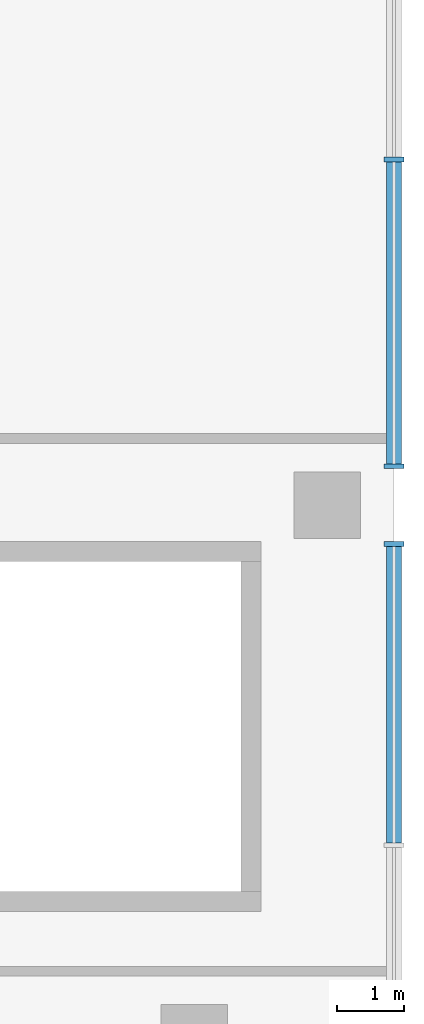
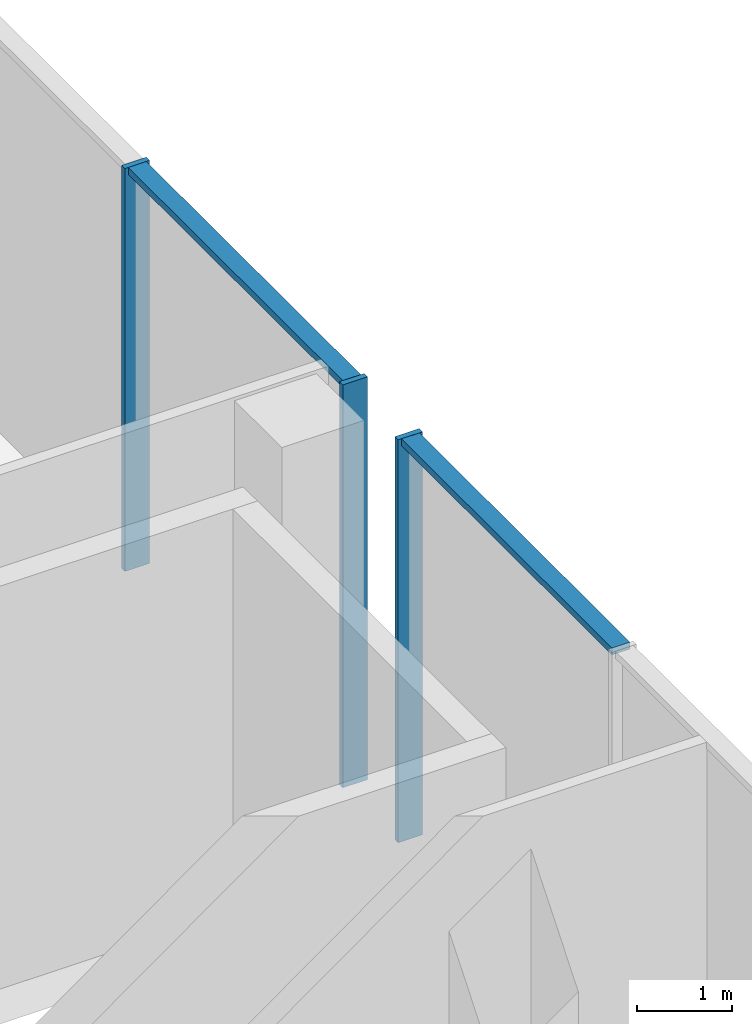
# One storey, part 5 of 25: 5 members, 2 elements without a shape of their own.
"""IFC4 building model written with IfcOpenShell, lengths in metres."""

import ifcopenshell
import ifcopenshell.guid

model = None  # the IFC model being written
_history = None  # IfcOwnerHistory: only IFC2X3 demands one
_inside = {}  # id of a spatial element -> (the spatial element, [elements in it])
_under = {}  # id of a project, library or spatial element -> (it, [spatial elements below it])
_declared = {}  # id of a project -> (the project, [libraries it declares])
_typed = {}  # id of a type object -> (the type object, [elements of that type])
_made_of = {}  # id of a material, layer set ... -> (it, [elements and type objects made of it])


def new_model(schema):
    """Start an empty IFC model of exactly this schema.

    Asked for "IFC4X3", IfcOpenShell would pick the latest addendum, in which some entities
    have other attributes; the version numbers below select the first issue.
    IFC2X3 requires an IfcOwnerHistory on every rooted entity: one is made here for all.
    """
    global model, _history
    if schema == "IFC4X3":
        model = ifcopenshell.file(schema_version=(4, 3, 0, 0))
    else:
        model = ifcopenshell.file(schema=schema)
    _inside.clear()
    _under.clear()
    _declared.clear()
    _typed.clear()
    _made_of.clear()
    _history = None
    if model.schema == "IFC2X3":
        org = make("IfcOrganization", Name="unknown")
        user = make(
            "IfcPersonAndOrganization",
            ThePerson=make("IfcPerson", FamilyName="unknown"),
            TheOrganization=org,
        )
        app = make(
            "IfcApplication",
            ApplicationDeveloper=org,
            Version="unknown",
            ApplicationFullName="unknown",
            ApplicationIdentifier="unknown",
        )
        _history = make(
            "IfcOwnerHistory",
            OwningUser=user,
            OwningApplication=app,
            ChangeAction="ADDED",
            CreationDate=0,
        )
    return model


def make(cls, **values):
    """One entity of the class cls with the attributes given. An attribute that is None is left unset."""
    return model.create_entity(
        cls, **{name: value for name, value in values.items() if value is not None}
    )


def rooted(cls, **values):
    """An entity with a GlobalId (a new one), such as an element, a storey or a relation."""
    return make(cls, GlobalId=ifcopenshell.guid.new(), OwnerHistory=_history, **values)


def si_unit(unit_type, name, prefix=None):
    """IfcSIUnit, for example si_unit("LENGTHUNIT", "METRE", prefix="MILLI")."""
    return make("IfcSIUnit", UnitType=unit_type, Prefix=prefix, Name=name)


def assignment(units):
    """IfcUnitAssignment: the units of a project."""
    return None if units is None else make("IfcUnitAssignment", Units=units)


def point(xyz):
    """IfcCartesianPoint."""
    return None if xyz is None else make("IfcCartesianPoint", Coordinates=xyz)


def direction(xyz):
    """IfcDirection."""
    return None if xyz is None else make("IfcDirection", DirectionRatios=xyz)


def frame(location, z_axis=None, x_axis=None):
    """IfcAxis2Placement3D, a coordinate frame: its origin and axes. An axis left out is left unset."""
    return make(
        "IfcAxis2Placement3D",
        Location=point(location),
        Axis=direction(z_axis),
        RefDirection=direction(x_axis),
    )


def frame_2d(location, x_axis=None):
    """IfcAxis2Placement2D, a coordinate frame in the plane: its origin and x axis."""
    return make(
        "IfcAxis2Placement2D", Location=point(location), RefDirection=direction(x_axis)
    )


def origin():
    """The frame at (0, 0, 0) with its axes left unset."""
    return frame((0.0, 0.0, 0.0))


def origin_2d():
    """The frame at (0, 0) in the plane with its x axis left unset."""
    return frame_2d((0.0, 0.0))


def place(relative_to, where):
    """IfcLocalPlacement: puts the frame where relative to a parent placement (None: the world)."""
    return make(
        "IfcLocalPlacement", PlacementRelTo=relative_to, RelativePlacement=where
    )


def context(
    kind, dimensions, precision=None, world=None, true_north=None, identifier=None
):
    """IfcGeometricRepresentationContext, for example the 3D "Model" context."""
    return make(
        "IfcGeometricRepresentationContext",
        ContextIdentifier=identifier,
        ContextType=kind,
        CoordinateSpaceDimension=dimensions,
        Precision=precision,
        WorldCoordinateSystem=world,
        TrueNorth=true_north,
    )


def subcontext(parent, identifier, kind, view, scale=None):
    """IfcGeometricRepresentationSubContext, for example "Body" below "Model"."""
    return make(
        "IfcGeometricRepresentationSubContext",
        ContextIdentifier=identifier,
        ContextType=kind,
        ParentContext=parent,
        TargetScale=scale,
        TargetView=view,
    )


def project(units=None, contexts=None):
    """IfcProject with its units and contexts."""
    return rooted(
        "IfcProject",
        Name="project",
        RepresentationContexts=contexts,
        UnitsInContext=assignment(units),
    )


def spatial(cls, under=None, at=None, **own):
    """A site, building, storey or space (cls), placed at a placement, below another one or the project."""
    s = rooted(cls, ObjectPlacement=at, **own)
    if under is not None:
        _under.setdefault(under.id(), (under, []))[1].append(s)
    return s


def profile(cls, at=None, kind="AREA", **sizes):
    """A parametric profile (cls). Its sizes go by their IFC names, for example OverallWidth=200.0."""
    return make(cls, ProfileType=kind, Position=at, **sizes)


def rectangle(**sizes):
    """IfcRectangleProfileDef."""
    return profile("IfcRectangleProfileDef", **sizes)


def extrude(swept, where, along, depth):
    """IfcExtrudedAreaSolid: the profile swept, set in the frame where, extruded along a direction by depth."""
    return make(
        "IfcExtrudedAreaSolid",
        SweptArea=swept,
        Position=where,
        ExtrudedDirection=direction(along),
        Depth=depth,
    )


def shape(context_of_items, identifier, shape_type, items):
    """IfcShapeRepresentation: the items that make up one representation, for example the "Body"."""
    return make(
        "IfcShapeRepresentation",
        ContextOfItems=context_of_items,
        RepresentationIdentifier=identifier,
        RepresentationType=shape_type,
        Items=items,
    )


def material(Name=None, Category=None):
    """IfcMaterial."""
    return make("IfcMaterial", Name=Name, Category=Category)


def material_profile(
    of_material, cross_section, Name=None, Category=None, Priority=None
):
    """IfcMaterialProfile: a cross section and its material."""
    return make(
        "IfcMaterialProfile",
        Name=Name,
        Material=of_material,
        Profile=cross_section,
        Priority=Priority,
        Category=Category,
    )


def profile_set(profiles, Name=None, composite=None):
    """IfcMaterialProfileSet."""
    return make(
        "IfcMaterialProfileSet",
        Name=Name,
        MaterialProfiles=profiles,
        CompositeProfile=composite,
    )


def made_of(thing, what):
    """Note that an element or type object is made of a material, layer set ...; save() writes the relation."""
    if what is not None:
        _made_of.setdefault(what.id(), (what, []))[1].append(thing)
    return thing


def type_object(cls, material=None, **own):
    """A type object (cls), such as IfcWallType, which elements share."""
    return made_of(rooted(cls, **own), material)


def element(
    cls,
    number,
    at=None,
    inside=None,
    cuts=None,
    type_object=None,
    material=None,
    context=None,
    identifier="Body",
    shape_type=None,
    held_by="IfcProductDefinitionShape",
    body=None,
    shapes=None,
    **own,
):
    """One element of the class cls, such as IfcWall. Its Tag is "e" and its number.

    at: its placement. inside: the storey or other place that contains it. cuts: it is an
    opening in that element (IfcRelVoidsElement). A single representation is given by context,
    identifier, shape_type and body (its items); several are given by shapes. held_by: the class
    of the entity that holds the representations. save() writes the other relations.
    """
    e = rooted(cls, Tag="e%d" % number, ObjectPlacement=at, **own)
    if body is not None:
        shapes = [shape(context, identifier, shape_type, body)]
    if shapes is not None:
        e.Representation = make(held_by, Representations=shapes)
    if inside is not None:
        _inside.setdefault(inside.id(), (inside, []))[1].append(e)
    if cuts is not None:
        rooted(
            "IfcRelVoidsElement", RelatingBuildingElement=cuts, RelatedOpeningElement=e
        )
    if type_object is not None:
        _typed.setdefault(type_object.id(), (type_object, []))[1].append(e)
    return made_of(e, material)


def aggregate(whole, parts):
    """IfcRelAggregates: a whole, such as a stair, and the parts it consists of."""
    return rooted("IfcRelAggregates", RelatingObject=whole, RelatedObjects=parts)


def save(model, path):
    """Write the relations noted so far, then the file.

    IfcRelAggregates (storeys below a building ...), IfcRelContainedInSpatialStructure (elements
    in a storey), IfcRelDefinesByType, IfcRelAssociatesMaterial and IfcRelDeclares: one each for
    every whole, place, type object, material and project.
    """
    for whole, parts in _under.values():
        aggregate(whole, parts)
    for where, things in _inside.values():
        rooted(
            "IfcRelContainedInSpatialStructure",
            RelatedElements=things,
            RelatingStructure=where,
        )
    for kind, things in _typed.values():
        rooted("IfcRelDefinesByType", RelatedObjects=things, RelatingType=kind)
    for what, things in _made_of.values():
        rooted("IfcRelAssociatesMaterial", RelatedObjects=things, RelatingMaterial=what)
    for by, libraries in _declared.values():
        rooted("IfcRelDeclares", RelatingContext=by, RelatedDefinitions=libraries)
    model.write(path)


model = new_model("IFC4")

# Units and contexts
model_context = context("Model", 3, precision=1e-05, world=origin(), true_north=direction((0.0, 1.0)))
body_context = subcontext(model_context, "Body", "Model", "MODEL_VIEW")
ifc_project = project(units=[si_unit("LENGTHUNIT", "METRE"), si_unit("AREAUNIT", "SQUARE_METRE"), si_unit("VOLUMEUNIT", "CUBIC_METRE"), si_unit("PLANEANGLEUNIT", "RADIAN"), si_unit("MASSUNIT", "GRAM", prefix="KILO")], contexts=[model_context])

# Site, building, storey
site_placement = place(None, origin())
site = spatial("IfcSite", under=ifc_project, at=site_placement, CompositionType="ELEMENT")
building_placement = place(site_placement, origin())
building = spatial("IfcBuilding", under=site, at=building_placement, Name="Wharfspan Tower", CompositionType="ELEMENT")
storey_placement = place(building_placement, frame((0.0, 0.0, 27.5)))
storey = spatial("IfcBuildingStorey", under=building, at=storey_placement, Name="L04", CompositionType="ELEMENT", Elevation=27.5)

# Curtain wall, member
ifc_material = material(Name="Aluminium 6063-T6", Category="aluminium")
curtain_wall_type = type_object("IfcCurtainWallType", Name="CURTAIN WALL ARENA STICK WALL", PredefinedType="NOTDEFINED", material=ifc_material)
curtain_wall_1_placement = place(storey_placement, origin())
curtain_wall_1 = element("IfcCurtainWall", 1, at=curtain_wall_1_placement, inside=storey, type_object=curtain_wall_type, Name="Concourse stick wall PF3.2", PredefinedType="NOTDEFINED")
ifc_material_profile_1 = material_profile(ifc_material, rectangle(XDim=0.300049, YDim=0.070068, at=origin_2d()))
ifc_profile_set_1 = profile_set([ifc_material_profile_1], Name="Aluminium 6063-T6")
member_type_1 = type_object("IfcMemberType", Name="MULLION ARENA STICK WALL 70x300", PredefinedType="MULLION", material=ifc_profile_set_1)
member_1_placement = place(storey_placement, frame((108.0, 25.415039, 0.0), z_axis=(0.0, 0.0, 1.0), x_axis=(-1.0, 0.0, 0.0)))
member_1 = element("IfcMember", 2, at=member_1_placement, type_object=member_type_1, Name="Concourse stick wall PF3.2 mullion 8", PredefinedType="MULLION", context=body_context, shape_type="SweptSolid", body=[
    extrude(rectangle(XDim=0.300049, YDim=0.070068, at=origin_2d()), origin(), (0.0, 0.0, 1.0), 5.199951),
])

# Curtain wall, members
curtain_wall_2_placement = place(storey_placement, origin())
curtain_wall_2 = element("IfcCurtainWall", 3, at=curtain_wall_2_placement, inside=storey, type_object=curtain_wall_type, Name="Concourse stick wall PF3.3", PredefinedType="NOTDEFINED")
member_2_placement = place(storey_placement, frame((108.0, 26.584961, 0.0), z_axis=(0.0, 0.0, 1.0), x_axis=(-1.0, 0.0, 0.0)))
member_2 = element("IfcMember", 4, at=member_2_placement, type_object=member_type_1, Name="Concourse stick wall PF3.3 mullion 1", PredefinedType="MULLION", context=body_context, shape_type="SweptSolid", body=[
    extrude(rectangle(XDim=0.300049, YDim=0.070068, at=origin_2d()), origin(), (0.0, 0.0, 1.0), 5.199951),
])
member_3_placement = place(storey_placement, frame((108.0, 31.189941, 0.0), z_axis=(0.0, 0.0, 1.0), x_axis=(-1.0, 0.0, 0.0)))
member_3 = element("IfcMember", 5, at=member_3_placement, type_object=member_type_1, Name="Concourse stick wall PF3.3 mullion 2", PredefinedType="MULLION", context=body_context, shape_type="SweptSolid", body=[
    extrude(rectangle(XDim=0.300049, YDim=0.070068, at=origin_2d()), origin(), (0.0, 0.0, 1.0), 5.199951),
])

# Member
ifc_material_profile_2 = material_profile(ifc_material, rectangle(XDim=0.219971, YDim=0.090088, at=origin_2d()))
ifc_profile_set_2 = profile_set([ifc_material_profile_2], Name="Aluminium 6063-T6")
member_type_2 = type_object("IfcMemberType", Name="TRANSOM ARENA STICK WALL 90x220", PredefinedType="USERDEFINED", material=ifc_profile_set_2)
member_4_placement = place(storey_placement, frame((108.0, 20.927979, 5.155029), z_axis=(0.0, 1.0, 0.0), x_axis=(-1.0, 0.0, 0.0)))
member_4 = element("IfcMember", 6, at=member_4_placement, type_object=member_type_2, Name="Concourse stick wall PF3.2 transom 7", ObjectType="TRANSOM", PredefinedType="USERDEFINED", context=body_context, shape_type="SweptSolid", body=[
    extrude(rectangle(XDim=0.219971, YDim=0.090088, at=origin_2d()), origin(), (0.0, 0.0, 1.0), 4.451904),
])

aggregate(curtain_wall_1, [member_1, member_4])

member_5_placement = place(storey_placement, frame((108.0, 26.620117, 5.155029), z_axis=(0.0, 1.0, 0.0), x_axis=(-1.0, 0.0, 0.0)))
member_5 = element("IfcMember", 7, at=member_5_placement, type_object=member_type_2, Name="Concourse stick wall PF3.3 transom 1", ObjectType="TRANSOM", PredefinedType="USERDEFINED", context=body_context, shape_type="SweptSolid", body=[
    extrude(rectangle(XDim=0.219971, YDim=0.090088, at=origin_2d()), origin(), (0.0, 0.0, 1.0), 4.534912),
])

aggregate(curtain_wall_2, [member_2, member_3, member_5])

save(model, "model.ifc")
